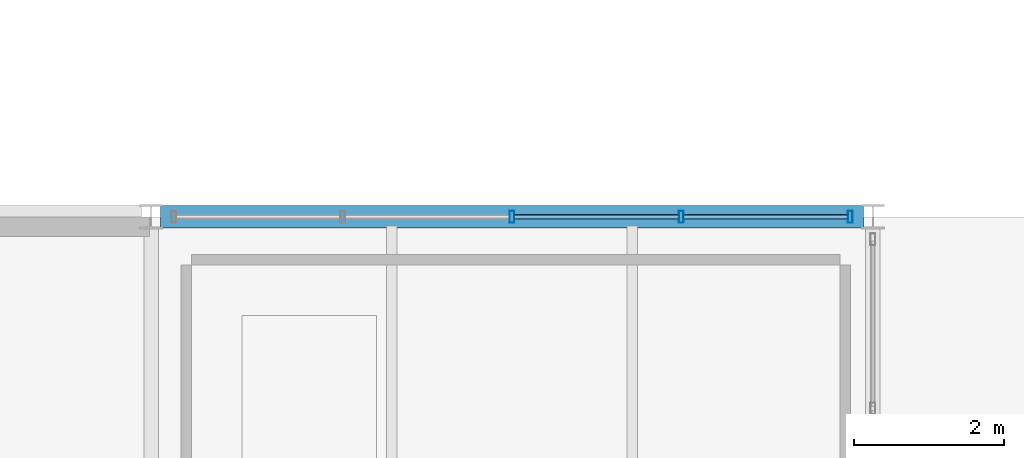
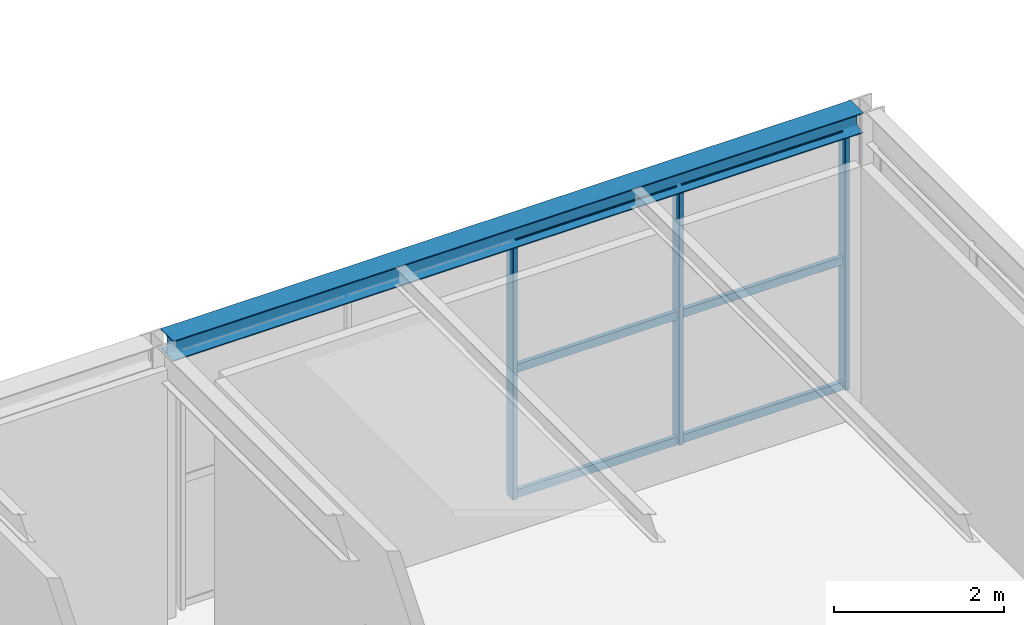
# One storey, part 32 of 50: 9 members, 1 beam, 1 element without a shape of its own.
"""IFC4 building model written with IfcOpenShell, lengths in metres."""

from ifc_helpers import new_model, si_unit, direction, frame, origin, origin_2d, place, context, subcontext, project, spatial, hollow_rectangle, i_section, extrude, material, material_profile, profile_set, type_object, element, aggregate, save


model = new_model("IFC4")

# Units and contexts
model_context = context("Model", 3, precision=1e-05, world=origin(), true_north=direction((0.0, 1.0)))
body_context = subcontext(model_context, "Body", "Model", "MODEL_VIEW")
ifc_project = project(units=[si_unit("LENGTHUNIT", "METRE"), si_unit("AREAUNIT", "SQUARE_METRE"), si_unit("VOLUMEUNIT", "CUBIC_METRE"), si_unit("PLANEANGLEUNIT", "RADIAN"), si_unit("MASSUNIT", "GRAM", prefix="KILO")], contexts=[model_context])

# Site, building, storey
site_placement = place(None, origin())
site = spatial("IfcSite", under=ifc_project, at=site_placement, CompositionType="ELEMENT")
building_placement = place(site_placement, origin())
building = spatial("IfcBuilding", under=site, at=building_placement, Name="Coralgate Yard Interchange", CompositionType="ELEMENT")
storey_placement = place(building_placement, frame((0.0, 0.0, 14.699951171875)))
storey = spatial("IfcBuildingStorey", under=building, at=storey_placement, Name="L03", CompositionType="ELEMENT", Elevation=14.699951171875)

# Beam
ifc_material_1 = material(Name="Structural steel S355J2", Category="steel")
ifc_material_profile_1 = material_profile(ifc_material_1, i_section(OverallWidth=0.300048828125, OverallDepth=0.2900390625, WebThickness=0.008544921875, FlangeThickness=0.013916015625, FilletRadius=0.027099609375, at=origin_2d()), Name="HEA 300")
ifc_profile_set_1 = profile_set([ifc_material_profile_1], Name="Structural steel S355J2")
beam_type = type_object("IfcBeamType", Name="BM-SP-2", PredefinedType="SPANDREL", material=ifc_profile_set_1)
beam_placement = place(storey_placement, frame((9.7255859375, 48.0, 3.804931640625), z_axis=(1.0, 0.0, 0.0), x_axis=(0.0, 1.0, 0.0)))
element("IfcBeam", 1, at=beam_placement, inside=storey, type_object=beam_type, Name="L03 primary grid beam Y5 X1-2", PredefinedType="SPANDREL", context=body_context, shape_type="SweptSolid", body=[
    extrude(i_section(OverallWidth=0.300048828125, OverallDepth=0.2900390625, WebThickness=0.008544921875, FlangeThickness=0.013916015625, FilletRadius=0.027099609375, at=origin_2d()), origin(), (0.0, 0.0, 1.0), 9.348876953125),
])

# Curtain wall, members
ifc_material_2 = material(Name="Anodised coastal aluminium and solar-control low-E glass", Category="aluminium")
curtain_wall_type = type_object("IfcCurtainWallType", Name="CW-CW-L03-A", PredefinedType="NOTDEFINED", material=ifc_material_2)
curtain_wall_placement = place(storey_placement, origin())
curtain_wall = element("IfcCurtainWall", 2, at=curtain_wall_placement, inside=storey, type_object=curtain_wall_type, Name="L03 unitised curtain wall CW-L03-N-01-04", PredefinedType="NOTDEFINED")
ifc_material_3 = material(Name="Anodised coastal aluminium 6063-T6", Category="aluminium")
ifc_material_profile_2 = material_profile(ifc_material_3, hollow_rectangle(XDim=0.06494140625, YDim=0.159912109375, WallThickness=0.00390625, InnerFilletRadius=0.00390625, OuterFilletRadius=0.008056640625, at=origin_2d()), Name="ALU 65x160x4")
ifc_profile_set_2 = profile_set([ifc_material_profile_2], Name="Anodised coastal aluminium 6063-T6")
member_type_1 = type_object("IfcMemberType", Name="MB-MUL-160", PredefinedType="MULLION", material=ifc_profile_set_2)
member_1_placement = place(storey_placement, frame((14.39990234375, 48.0, 0.0), z_axis=(0.0, 0.0, 1.0), x_axis=(1.0, 0.0, 0.0)))
member_1 = element("IfcMember", 3, at=member_1_placement, type_object=member_type_1, Name="CW-L03-N-01-04 vertical mullion 3", PredefinedType="MULLION", context=body_context, shape_type="SweptSolid", body=[
    extrude(hollow_rectangle(XDim=0.06494140625, YDim=0.159912109375, WallThickness=0.00390625, InnerFilletRadius=0.00390625, OuterFilletRadius=0.008056640625, at=origin_2d()), origin(), (0.0, 0.0, 1.0), 3.66015625),
])
member_2_placement = place(storey_placement, frame((16.64990234375, 48.0, 0.0), z_axis=(0.0, 0.0, 1.0), x_axis=(1.0, 0.0, 0.0)))
member_2 = element("IfcMember", 4, at=member_2_placement, type_object=member_type_1, Name="CW-L03-N-01-04 vertical mullion 4", PredefinedType="MULLION", context=body_context, shape_type="SweptSolid", body=[
    extrude(hollow_rectangle(XDim=0.06494140625, YDim=0.159912109375, WallThickness=0.00390625, InnerFilletRadius=0.00390625, OuterFilletRadius=0.008056640625, at=origin_2d()), origin(), (0.0, 0.0, 1.0), 3.66015625),
])
member_3_placement = place(storey_placement, frame((18.89990234375, 48.0, 0.0), z_axis=(0.0, 0.0, 1.0), x_axis=(1.0, 0.0, 0.0)))
member_3 = element("IfcMember", 5, at=member_3_placement, type_object=member_type_1, Name="CW-L03-N-01-04 vertical mullion 5", PredefinedType="MULLION", context=body_context, shape_type="SweptSolid", body=[
    extrude(hollow_rectangle(XDim=0.06494140625, YDim=0.159912109375, WallThickness=0.00390625, InnerFilletRadius=0.00390625, OuterFilletRadius=0.008056640625, at=origin_2d()), origin(), (0.0, 0.0, 1.0), 3.66015625),
])
ifc_material_profile_3 = material_profile(ifc_material_3, hollow_rectangle(XDim=0.06005859375, YDim=0.1201171875, WallThickness=0.00341796875, InnerFilletRadius=0.00341796875, OuterFilletRadius=0.007080078125, at=origin_2d()), Name="ALU 60x120x3.5")
ifc_profile_set_3 = profile_set([ifc_material_profile_3], Name="Anodised coastal aluminium 6063-T6")
member_type_2 = type_object("IfcMemberType", Name="MB-TRN-120", PredefinedType="USERDEFINED", material=ifc_profile_set_3)
member_4_placement = place(storey_placement, frame((14.429931640625, 48.0, 0.03515625), z_axis=(1.0, 0.0, 0.0), x_axis=(0.0, 1.0, 0.0)))
member_4 = element("IfcMember", 6, at=member_4_placement, type_object=member_type_2, Name="CW-L03-N-01-04 horizontal transom 3-1", ObjectType="TRANSOM", PredefinedType="USERDEFINED", context=body_context, shape_type="SweptSolid", body=[
    extrude(hollow_rectangle(XDim=0.06005859375, YDim=0.1201171875, WallThickness=0.00341796875, InnerFilletRadius=0.00341796875, OuterFilletRadius=0.007080078125, at=origin_2d()), origin(), (0.0, 0.0, 1.0), 2.190185546875),
])
member_5_placement = place(storey_placement, frame((14.429931640625, 48.0, 1.830078125), z_axis=(1.0, 0.0, 0.0), x_axis=(0.0, 1.0, 0.0)))
member_5 = element("IfcMember", 7, at=member_5_placement, type_object=member_type_2, Name="CW-L03-N-01-04 horizontal transom 3-2", ObjectType="TRANSOM", PredefinedType="USERDEFINED", context=body_context, shape_type="SweptSolid", body=[
    extrude(hollow_rectangle(XDim=0.06005859375, YDim=0.1201171875, WallThickness=0.00341796875, InnerFilletRadius=0.00341796875, OuterFilletRadius=0.007080078125, at=origin_2d()), origin(), (0.0, 0.0, 1.0), 2.190185546875),
])
member_6_placement = place(storey_placement, frame((14.429931640625, 48.0, 3.625), z_axis=(1.0, 0.0, 0.0), x_axis=(0.0, 1.0, 0.0)))
member_6 = element("IfcMember", 8, at=member_6_placement, type_object=member_type_2, Name="CW-L03-N-01-04 horizontal transom 3-3", ObjectType="TRANSOM", PredefinedType="USERDEFINED", context=body_context, shape_type="SweptSolid", body=[
    extrude(hollow_rectangle(XDim=0.06005859375, YDim=0.1201171875, WallThickness=0.00341796875, InnerFilletRadius=0.00341796875, OuterFilletRadius=0.007080078125, at=origin_2d()), origin(), (0.0, 0.0, 1.0), 2.190185546875),
])
member_7_placement = place(storey_placement, frame((16.679931640625, 48.0, 0.03515625), z_axis=(1.0, 0.0, 0.0), x_axis=(0.0, 1.0, 0.0)))
member_7 = element("IfcMember", 9, at=member_7_placement, type_object=member_type_2, Name="CW-L03-N-01-04 horizontal transom 4-1", ObjectType="TRANSOM", PredefinedType="USERDEFINED", context=body_context, shape_type="SweptSolid", body=[
    extrude(hollow_rectangle(XDim=0.06005859375, YDim=0.1201171875, WallThickness=0.00341796875, InnerFilletRadius=0.00341796875, OuterFilletRadius=0.007080078125, at=origin_2d()), origin(), (0.0, 0.0, 1.0), 2.190185546875),
])
member_8_placement = place(storey_placement, frame((16.679931640625, 48.0, 1.830078125), z_axis=(1.0, 0.0, 0.0), x_axis=(0.0, 1.0, 0.0)))
member_8 = element("IfcMember", 10, at=member_8_placement, type_object=member_type_2, Name="CW-L03-N-01-04 horizontal transom 4-2", ObjectType="TRANSOM", PredefinedType="USERDEFINED", context=body_context, shape_type="SweptSolid", body=[
    extrude(hollow_rectangle(XDim=0.06005859375, YDim=0.1201171875, WallThickness=0.00341796875, InnerFilletRadius=0.00341796875, OuterFilletRadius=0.007080078125, at=origin_2d()), origin(), (0.0, 0.0, 1.0), 2.190185546875),
])
member_9_placement = place(storey_placement, frame((16.679931640625, 48.0, 3.625), z_axis=(1.0, 0.0, 0.0), x_axis=(0.0, 1.0, 0.0)))
member_9 = element("IfcMember", 11, at=member_9_placement, type_object=member_type_2, Name="CW-L03-N-01-04 horizontal transom 4-3", ObjectType="TRANSOM", PredefinedType="USERDEFINED", context=body_context, shape_type="SweptSolid", body=[
    extrude(hollow_rectangle(XDim=0.06005859375, YDim=0.1201171875, WallThickness=0.00341796875, InnerFilletRadius=0.00341796875, OuterFilletRadius=0.007080078125, at=origin_2d()), origin(), (0.0, 0.0, 1.0), 2.190185546875),
])
aggregate(curtain_wall, [member_1, member_2, member_3, member_4, member_5, member_6, member_7, member_8, member_9])

save(model, "model.ifc")
